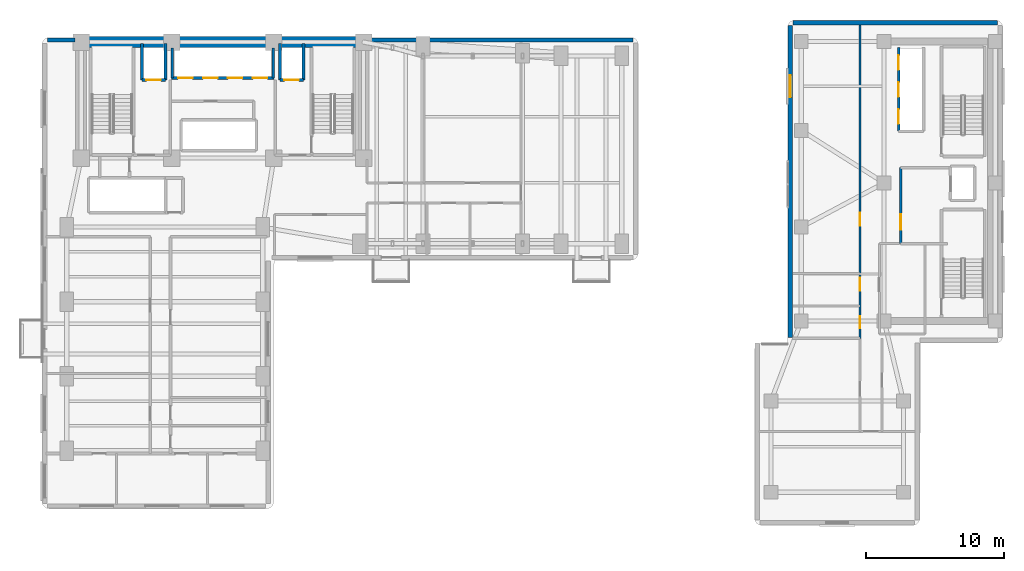
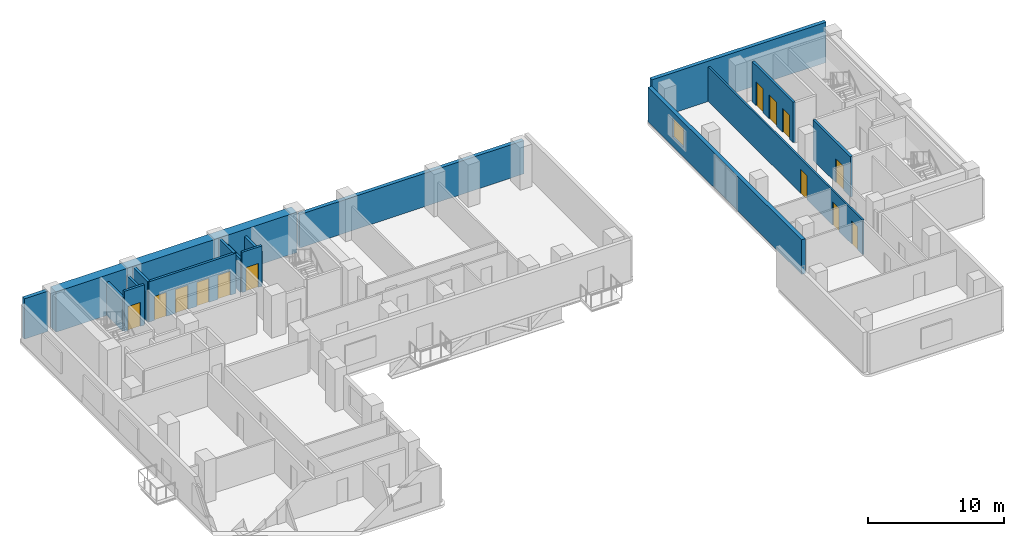
# One storey, part 10 of 15: 17 walls, 13 doors, 1 window, 14 openings.
"""IFC4 building model written with IfcOpenShell, lengths in metres."""

from ifc_helpers import new_model, si_unit, direction, frame, frame_2d, origin, place, context, subcontext, project, spatial, rectangle, extrude, material, layer, layer_set, type_object, element, fill, save


model = new_model("IFC4")

# Units and contexts
model_context = context("Model", 3, precision=1e-05, world=origin(), true_north=direction((0.0, 1.0)))
body_context = subcontext(model_context, "Body", "Model", "MODEL_VIEW")
ifc_project = project(units=[si_unit("LENGTHUNIT", "METRE"), si_unit("AREAUNIT", "SQUARE_METRE"), si_unit("VOLUMEUNIT", "CUBIC_METRE"), si_unit("PLANEANGLEUNIT", "RADIAN"), si_unit("MASSUNIT", "GRAM", prefix="KILO")], contexts=[model_context])

# Site, building, storey
site_placement = place(None, origin())
site = spatial("IfcSite", under=ifc_project, at=site_placement, CompositionType="ELEMENT")
building_placement = place(site_placement, origin())
building = spatial("IfcBuilding", under=site, at=building_placement, Name="Kuzgunbayir Cultural Tower", CompositionType="ELEMENT")
storey_placement = place(building_placement, frame((0.0, 0.0, 39.800048828125)))
storey = spatial("IfcBuildingStorey", under=building, at=storey_placement, Name="L10", CompositionType="ELEMENT", Elevation=39.800048828125)

# Walls
ifc_material_1 = material(Name="Concrete C60/75", Category="concrete")
ifc_layer_1 = layer(ifc_material_1, 0.800048828125)
ifc_layer_set_1 = layer_set([ifc_layer_1], Name="Concrete C60/75")
wall_type_1 = type_object("IfcWallType", Name="WAL-CORE-800", PredefinedType="SHEAR", material=ifc_layer_set_1)
wall_1_placement = place(storey_placement, frame((6.449951171875, 42.199951171875, 0.0), z_axis=(0.0, 0.0, 1.0), x_axis=(1.0, 0.0, 0.0)))
element("IfcWall", 1, at=wall_1_placement, inside=storey, type_object=wall_type_1, Name="L10 T1 Core North Shear Wall", PredefinedType="SHEAR", context=body_context, shape_type="SweptSolid", body=[
    extrude(rectangle(XDim=20.449951171875, YDim=0.800048828125, at=frame_2d((10.22509765625, 0.0))), origin(), (0.0, 0.0, 1.0), 3.619873046875),
])
ifc_material_2 = material(Name="Travertine Buff Ashlar", Category="masonry")
ifc_layer_2 = layer(ifc_material_2, 0.320068359375)
ifc_layer_set_2 = layer_set([ifc_layer_2], Name="Travertine Buff Ashlar")
wall_type_2 = type_object("IfcWallType", Name="WAL-EXT-STONE-320", PredefinedType="STANDARD", material=ifc_layer_set_2)
wall_2_placement = place(storey_placement, frame((46.39990234375, 42.35009765625, 0.0), z_axis=(0.0, 0.0, 1.0), x_axis=(-1.0, 0.0, 0.0)))
element("IfcWall", 2, at=wall_2_placement, inside=storey, type_object=wall_type_2, Name="L10 North Wing B Limestone Wall", PredefinedType="STANDARD", context=body_context, shape_type="SweptSolid", body=[
    extrude(rectangle(XDim=19.0498046875, YDim=0.320068359375, at=frame_2d((9.52490234375, 0.0))), origin(), (0.0, 0.0, 1.0), 3.0),
])
wall_3_placement = place(storey_placement, frame((6.0, 42.35009765625, 0.0), z_axis=(0.0, 0.0, 1.0), x_axis=(-1.0, 0.0, 0.0)))
element("IfcWall", 3, at=wall_3_placement, inside=storey, type_object=wall_type_2, Name="L10 Core North-West Spandrel Link", PredefinedType="STANDARD", context=body_context, shape_type="SweptSolid", body=[
    extrude(rectangle(XDim=2.0, YDim=0.320068359375, at=frame_2d((1.0, 0.0))), origin(), (0.0, 0.0, 1.0), 3.619873046875),
])

# Wall, opening, window
wall_4_placement = place(storey_placement, frame((57.800048828125, 43.39990234375, 0.0), z_axis=(0.0, 0.0, 1.0), x_axis=(0.0, -1.0, 0.0)))
wall_4 = element("IfcWall", 4, at=wall_4_placement, inside=storey, type_object=wall_type_2, Name="L10 Companion West Limestone Wall", PredefinedType="STANDARD", context=body_context, shape_type="SweptSolid", body=[
    extrude(rectangle(XDim=22.599853515625, YDim=0.320068359375, at=frame_2d((11.2998046875, 0.0))), origin(), (0.0, 0.0, 1.0), 3.10986328125),
])
opening_1_placement = place(wall_4_placement, frame((3.60009765625, 0.0, 0.85009765625)))
opening_1 = element("IfcOpeningElement", 5, at=opening_1_placement, cuts=wall_4, Name="Opening WC-16", PredefinedType="OPENING", context=body_context, shape_type="SweptSolid", body=[
    extrude(rectangle(XDim=1.60009765625, YDim=1.699951171875, at=frame_2d((0.800048828125, 0.85009765625))), frame((0.0, 0.169921875, 0.0), z_axis=(0.0, -1.0, 0.0), x_axis=(1.0, 0.0, 0.0)), (0.0, 0.0, 1.0), 0.340087890625),
])
ifc_material_3 = material(Name="Solar-Control Triple Glazing", Category="glass")
window_type = type_object("IfcWindowType", Name="WIN-COMP-16", PartitioningType="SINGLE_PANEL", PredefinedType="WINDOW", material=ifc_material_3)
window_placement = place(opening_1_placement, origin())
window = element("IfcWindow", 6, at=window_placement, inside=storey, type_object=window_type, Name="L10 Companion West Window 39", OverallHeight=1.699951171875, OverallWidth=1.60009765625, PartitioningType="SINGLE_PANEL", PredefinedType="WINDOW", context=body_context, shape_type="SweptSolid", body=[
    extrude(rectangle(XDim=1.60009765625, YDim=1.699951171875, at=frame_2d((0.800048828125, 0.85009765625))), frame((0.0, 0.030029296875, 0.0), z_axis=(0.0, -1.0, 0.0), x_axis=(1.0, 0.0, 0.0)), (0.0, 0.0, 1.0), 0.06005859375),
])
fill(opening_1, window)

# Wall
wall_5_placement = place(storey_placement, frame((72.800048828125, 43.60009765625, 0.0), z_axis=(0.0, 0.0, 1.0), x_axis=(-1.0, 0.0, 0.0)))
element("IfcWall", 7, at=wall_5_placement, inside=storey, type_object=wall_type_2, Name="L10 Companion North Limestone Wall", PredefinedType="STANDARD", context=body_context, shape_type="SweptSolid", body=[
    extrude(rectangle(XDim=14.800048828125, YDim=0.320068359375, at=frame_2d((7.39990234375, 0.0))), origin(), (0.0, 0.0, 1.0), 3.619873046875),
])

# Wall, openings, doors
ifc_material_4 = material(Name="Acoustic Double-Stud Drywall", Category="gypsum")
ifc_layer_3 = layer(ifc_material_4, 0.14990234375)
ifc_layer_set_3 = layer_set([ifc_layer_3], Name="Acoustic Double-Stud Drywall")
wall_type_3 = type_object("IfcWallType", Name="WAL-PART-ACOUSTIC-150", PredefinedType="PARTITIONING", material=ifc_layer_set_3)
wall_6_placement = place(storey_placement, frame((62.85009765625, 20.75, 0.0), z_axis=(0.0, 0.0, 1.0), x_axis=(0.0, 1.0, 0.0)))
wall_6 = element("IfcWall", 8, at=wall_6_placement, inside=storey, type_object=wall_type_3, Name="L10 Companion Corridor West Wall", PredefinedType="PARTITIONING", context=body_context, shape_type="SweptSolid", body=[
    extrude(rectangle(XDim=22.699951171875, YDim=0.14990234375, at=frame_2d((11.35009765625, 0.0))), origin(), (0.0, 0.0, 1.0), 3.10986328125),
])
opening_2_placement = place(wall_6_placement, frame((0.72998046875, 0.0, 0.0)))
opening_2 = element("IfcOpeningElement", 9, at=opening_2_placement, cuts=wall_6, Name="Opening DW-85", PredefinedType="OPENING", context=body_context, shape_type="SweptSolid", body=[
    extrude(rectangle(XDim=0.85009765625, YDim=2.10009765625, at=frame_2d((0.425048828125, 1.050048828125))), frame((0.0, 0.0849609375, 0.0), z_axis=(0.0, -1.0, 0.0), x_axis=(1.0, 0.0, 0.0)), (0.0, 0.0, 1.0), 0.169921875),
])
opening_3_placement = place(wall_6_placement, frame((3.429931640625, 0.0, 0.0)))
opening_3 = element("IfcOpeningElement", 10, at=opening_3_placement, cuts=wall_6, Name="Opening DW-95", PredefinedType="OPENING", context=body_context, shape_type="SweptSolid", body=[
    extrude(rectangle(XDim=0.949951171875, YDim=2.10009765625, at=frame_2d((0.47509765625, 1.050048828125))), frame((0.0, 0.0849609375, 0.0), z_axis=(0.0, -1.0, 0.0), x_axis=(1.0, 0.0, 0.0)), (0.0, 0.0, 1.0), 0.169921875),
])
opening_4_placement = place(wall_6_placement, frame((8.14990234375, 0.0, 0.0)))
opening_4 = element("IfcOpeningElement", 11, at=opening_4_placement, cuts=wall_6, Name="Opening DI-90", PredefinedType="OPENING", context=body_context, shape_type="SweptSolid", body=[
    extrude(rectangle(XDim=0.949951171875, YDim=2.14990234375, at=frame_2d((0.47509765625, 1.074951171875))), frame((0.0, 0.0849609375, 0.0), z_axis=(0.0, -1.0, 0.0), x_axis=(1.0, 0.0, 0.0)), (0.0, 0.0, 1.0), 0.169921875),
])
ifc_material_5 = material(Name="Veneered Oak Single Leaf", Category="wood")
door_type_1 = type_object("IfcDoorType", Name="DR-INT-90", OperationType="NOTDEFINED", PredefinedType="DOOR", material=ifc_material_5)
door_1_placement = place(opening_4_placement, origin())
door_1 = element("IfcDoor", 12, at=door_1_placement, inside=storey, type_object=door_type_1, Name="L10 Companion Culinary Tasting Pantry 1 Door", OperationType="SINGLE_SWING_LEFT", OverallHeight=2.14990234375, OverallWidth=0.949951171875, PredefinedType="DOOR", context=body_context, shape_type="SweptSolid", body=[
    extrude(rectangle(XDim=0.949951171875, YDim=2.14990234375, at=frame_2d((0.47509765625, 1.074951171875))), frame((0.0, 0.02490234375, 0.0), z_axis=(0.0, -1.0, 0.0), x_axis=(1.0, 0.0, 0.0)), (0.0, 0.0, 1.0), 0.050048828125),
])
fill(opening_4, door_1)
ifc_material_6 = material(Name="Laminate Moisture-Resistant Leaf", Category="wood")
door_type_2 = type_object("IfcDoorType", Name="DR-WET-85", OperationType="NOTDEFINED", PredefinedType="DOOR", material=ifc_material_6)
door_2_placement = place(opening_2_placement, origin())
door_2 = element("IfcDoor", 13, at=door_2_placement, inside=storey, type_object=door_type_2, Name="L10 Companion WC Door", OperationType="SINGLE_SWING_LEFT", OverallHeight=2.10009765625, OverallWidth=0.85009765625, PredefinedType="DOOR", context=body_context, shape_type="SweptSolid", body=[
    extrude(rectangle(XDim=0.85009765625, YDim=2.10009765625, at=frame_2d((0.425048828125, 1.050048828125))), frame((0.0, 0.02490234375, 0.0), z_axis=(0.0, -1.0, 0.0), x_axis=(1.0, 0.0, 0.0)), (0.0, 0.0, 1.0), 0.050048828125),
])
fill(opening_2, door_2)
door_type_3 = type_object("IfcDoorType", Name="DR-WET-95", OperationType="NOTDEFINED", PredefinedType="DOOR", material=ifc_material_6)
door_3_placement = place(opening_3_placement, origin())
door_3 = element("IfcDoor", 14, at=door_3_placement, inside=storey, type_object=door_type_3, Name="L10 Companion Accessible WC Door", OperationType="SINGLE_SWING_RIGHT", OverallHeight=2.10009765625, OverallWidth=0.949951171875, PredefinedType="DOOR", context=body_context, shape_type="SweptSolid", body=[
    extrude(rectangle(XDim=0.949951171875, YDim=2.10009765625, at=frame_2d((0.47509765625, 1.050048828125))), frame((0.0, 0.02490234375, 0.0), z_axis=(0.0, -1.0, 0.0), x_axis=(1.0, 0.0, 0.0)), (0.0, 0.0, 1.0), 0.050048828125),
])
fill(opening_3, door_3)

# Wall, opening, door
ifc_material_7 = material(Name="Aerated Concrete Blockwork", Category="masonry")
ifc_layer_4 = layer(ifc_material_7, 0.199951171875)
ifc_layer_set_4 = layer_set([ifc_layer_4], Name="Aerated Concrete Blockwork")
wall_type_4 = type_object("IfcWallType", Name="WAL-PART-FIRE-200", PredefinedType="PARTITIONING", material=ifc_layer_set_4)
wall_7_placement = place(storey_placement, frame((65.800048828125, 27.60009765625, 0.0), z_axis=(0.0, 0.0, 1.0), x_axis=(0.0, 1.0, 0.0)))
wall_7 = element("IfcWall", 15, at=wall_7_placement, inside=storey, type_object=wall_type_4, Name="L10 FFL-3 Lobby West Fire Wall", PredefinedType="PARTITIONING", context=body_context, shape_type="SweptSolid", body=[
    extrude(rectangle(XDim=5.5, YDim=0.199951171875, at=frame_2d((2.75, 0.0))), origin(), (0.0, 0.0, 1.0), 3.619873046875),
])
opening_5_placement = place(wall_7_placement, frame((1.0, 0.0, 0.0)))
opening_5 = element("IfcOpeningElement", 16, at=opening_5_placement, cuts=wall_7, Name="Opening DR-FFL-90", PredefinedType="OPENING", context=body_context, shape_type="SweptSolid", body=[
    extrude(rectangle(XDim=1.14990234375, YDim=2.14990234375, at=frame_2d((0.574951171875, 1.074951171875))), frame((0.0, 0.10986328125, 0.0), z_axis=(0.0, -1.0, 0.0), x_axis=(1.0, 0.0, 0.0)), (0.0, 0.0, 1.0), 0.219970703125),
])
ifc_material_8 = material(Name="Steel S355J2", Category="steel")
door_type_4 = type_object("IfcDoorType", Name="DR-FFL-90", OperationType="NOTDEFINED", PredefinedType="DOOR", material=ifc_material_8)
door_4_placement = place(opening_5_placement, origin())
door_4 = element("IfcDoor", 17, at=door_4_placement, inside=storey, type_object=door_type_4, Name="L10 Firefighting Lobby 3 Door", OperationType="SINGLE_SWING_RIGHT", OverallHeight=2.14990234375, OverallWidth=1.14990234375, PredefinedType="DOOR", context=body_context, shape_type="SweptSolid", body=[
    extrude(rectangle(XDim=1.14990234375, YDim=2.14990234375, at=frame_2d((0.574951171875, 1.074951171875))), frame((0.0, 0.02490234375, 0.0), z_axis=(0.0, -1.0, 0.0), x_axis=(1.0, 0.0, 0.0)), (0.0, 0.0, 1.0), 0.050048828125),
])
fill(opening_5, door_4)

ifc_material_9 = material(Name="Concrete C40/50", Category="concrete")
ifc_layer_5 = layer(ifc_material_9, 0.199951171875)
ifc_layer_set_5 = layer_set([ifc_layer_5], Name="Concrete C40/50")
wall_type_5 = type_object("IfcWallType", Name="WAL-SHAFT-200", PredefinedType="MOVABLE", material=ifc_layer_set_5)
wall_8_placement = place(storey_placement, frame((10.85009765625, 39.449951171875, 0.0), z_axis=(0.0, 0.0, 1.0), x_axis=(1.0, 0.0, 0.0)))
wall_8 = element("IfcWall", 18, at=wall_8_placement, inside=storey, type_object=wall_type_5, Name="L10 FFL-1 Lift Front Wall", PredefinedType="MOVABLE", context=body_context, shape_type="SweptSolid", body=[
    extrude(rectangle(XDim=1.699951171875, YDim=0.199951171875, at=frame_2d((0.85009765625, 0.0))), origin(), (0.0, 0.0, 1.0), 3.619873046875),
])
opening_6_placement = place(wall_8_placement, frame((0.320068359375, 0.0, 0.0)))
opening_6 = element("IfcOpeningElement", 19, at=opening_6_placement, cuts=wall_8, Name="Opening LD", PredefinedType="OPENING", context=body_context, shape_type="SweptSolid", body=[
    extrude(rectangle(XDim=1.050048828125, YDim=2.14990234375, at=frame_2d((0.52490234375, 1.074951171875))), frame((0.0, 0.10986328125, 0.0), z_axis=(0.0, -1.0, 0.0), x_axis=(1.0, 0.0, 0.0)), (0.0, 0.0, 1.0), 0.219970703125),
])
ifc_material_10 = material(Name="Brushed Stainless Steel", Category="steel")
door_type_5 = type_object("IfcDoorType", Name="DR-LIFT-LANDING", OperationType="SLIDING_TO_LEFT", PredefinedType="DOOR", material=ifc_material_10)
door_5_placement = place(opening_6_placement, origin())
door_5 = element("IfcDoor", 20, at=door_5_placement, inside=storey, type_object=door_type_5, Name="L10 Lift FFL-1 Landing Door", OperationType="SLIDING_TO_LEFT", OverallHeight=2.14990234375, OverallWidth=1.050048828125, PredefinedType="DOOR", context=body_context, shape_type="SweptSolid", body=[
    extrude(rectangle(XDim=1.050048828125, YDim=2.14990234375, at=frame_2d((0.52490234375, 1.074951171875))), frame((0.0, 0.02490234375, 0.0), z_axis=(0.0, -1.0, 0.0), x_axis=(1.0, 0.0, 0.0)), (0.0, 0.0, 1.0), 0.050048828125),
])
fill(opening_6, door_5)

wall_9_placement = place(storey_placement, frame((20.85009765625, 39.449951171875, 0.0), z_axis=(0.0, 0.0, 1.0), x_axis=(1.0, 0.0, 0.0)))
wall_9 = element("IfcWall", 21, at=wall_9_placement, inside=storey, type_object=wall_type_5, Name="L10 FFL-2 Lift Front Wall", PredefinedType="MOVABLE", context=body_context, shape_type="SweptSolid", body=[
    extrude(rectangle(XDim=1.699951171875, YDim=0.199951171875, at=frame_2d((0.85009765625, 0.0))), origin(), (0.0, 0.0, 1.0), 3.619873046875),
])
opening_7_placement = place(wall_9_placement, frame((0.320068359375, 0.0, 0.0)))
opening_7 = element("IfcOpeningElement", 22, at=opening_7_placement, cuts=wall_9, Name="Opening LD", PredefinedType="OPENING", context=body_context, shape_type="SweptSolid", body=[
    extrude(rectangle(XDim=1.050048828125, YDim=2.14990234375, at=frame_2d((0.52490234375, 1.074951171875))), frame((0.0, 0.10986328125, 0.0), z_axis=(0.0, -1.0, 0.0), x_axis=(1.0, 0.0, 0.0)), (0.0, 0.0, 1.0), 0.219970703125),
])
door_6_placement = place(opening_7_placement, origin())
door_6 = element("IfcDoor", 23, at=door_6_placement, inside=storey, type_object=door_type_5, Name="L10 Lift FFL-2 Landing Door", OperationType="SLIDING_TO_LEFT", OverallHeight=2.14990234375, OverallWidth=1.050048828125, PredefinedType="DOOR", context=body_context, shape_type="SweptSolid", body=[
    extrude(rectangle(XDim=1.050048828125, YDim=2.14990234375, at=frame_2d((0.52490234375, 1.074951171875))), frame((0.0, 0.02490234375, 0.0), z_axis=(0.0, -1.0, 0.0), x_axis=(1.0, 0.0, 0.0)), (0.0, 0.0, 1.0), 0.050048828125),
])
fill(opening_7, door_6)

# Walls
for number, where, z_axis, x_axis, name in (
    (24, (10.85009765625, 39.449951171875, 0.0), (0.0, 0.0, 1.0), (0.0, 1.0, 0.0), "L10 FFL-1 Shaft West Wall"),
    (25, (12.550048828125, 39.449951171875, 0.0), (0.0, 0.0, 1.0), (0.0, 1.0, 0.0), "L10 FFL-1 Shaft East Wall"),
    (26, (20.85009765625, 39.449951171875, 0.0), (0.0, 0.0, 1.0), (0.0, 1.0, 0.0), "L10 FFL-2 Shaft West Wall"),
    (27, (22.550048828125, 39.449951171875, 0.0), (0.0, 0.0, 1.0), (0.0, 1.0, 0.0), "L10 FFL-2 Shaft East Wall"),
):
    element("IfcWall", number, at=place(storey_placement, frame(where, z_axis=z_axis, x_axis=x_axis)), inside=storey, type_object=wall_type_5, Name=name, PredefinedType="MOVABLE", context=body_context, shape_type="SweptSolid", body=[
        extrude(rectangle(XDim=2.650146484375, YDim=0.199951171875, at=frame_2d((1.3251953125, 0.0))), origin(), (0.0, 0.0, 1.0), 3.0),
    ])

# Wall, openings, doors
wall_10_placement = place(storey_placement, frame((13.0, 39.60009765625, 0.0), z_axis=(0.0, 0.0, 1.0), x_axis=(1.0, 0.0, 0.0)))
wall_10 = element("IfcWall", 28, at=wall_10_placement, inside=storey, type_object=wall_type_5, Name="L10 Low-Rise Lift Front Wall", PredefinedType="MOVABLE", context=body_context, shape_type="SweptSolid", body=[
    extrude(rectangle(XDim=7.39990234375, YDim=0.199951171875, at=frame_2d((3.699951171875, 0.0))), origin(), (0.0, 0.0, 1.0), 3.619873046875),
])
opening_8_placement = place(wall_10_placement, frame((0.469970703125, 0.0, 0.0)))
opening_8 = element("IfcOpeningElement", 29, at=opening_8_placement, cuts=wall_10, Name="Opening LD", PredefinedType="OPENING", context=body_context, shape_type="SweptSolid", body=[
    extrude(rectangle(XDim=1.050048828125, YDim=2.14990234375, at=frame_2d((0.52490234375, 1.074951171875))), frame((0.0, 0.10986328125, 0.0), z_axis=(0.0, -1.0, 0.0), x_axis=(1.0, 0.0, 0.0)), (0.0, 0.0, 1.0), 0.219970703125),
])
opening_9_placement = place(wall_10_placement, frame((2.280029296875, 0.0, 0.0)))
opening_9 = element("IfcOpeningElement", 30, at=opening_9_placement, cuts=wall_10, Name="Opening LD", PredefinedType="OPENING", context=body_context, shape_type="SweptSolid", body=[
    extrude(rectangle(XDim=1.050048828125, YDim=2.14990234375, at=frame_2d((0.52490234375, 1.074951171875))), frame((0.0, 0.10986328125, 0.0), z_axis=(0.0, -1.0, 0.0), x_axis=(1.0, 0.0, 0.0)), (0.0, 0.0, 1.0), 0.219970703125),
])
opening_10_placement = place(wall_10_placement, frame((4.080078125, 0.0, 0.0)))
opening_10 = element("IfcOpeningElement", 31, at=opening_10_placement, cuts=wall_10, Name="Opening LD", PredefinedType="OPENING", context=body_context, shape_type="SweptSolid", body=[
    extrude(rectangle(XDim=1.050048828125, YDim=2.14990234375, at=frame_2d((0.52490234375, 1.074951171875))), frame((0.0, 0.10986328125, 0.0), z_axis=(0.0, -1.0, 0.0), x_axis=(1.0, 0.0, 0.0)), (0.0, 0.0, 1.0), 0.219970703125),
])
opening_11_placement = place(wall_10_placement, frame((5.8798828125, 0.0, 0.0)))
opening_11 = element("IfcOpeningElement", 32, at=opening_11_placement, cuts=wall_10, Name="Opening LD", PredefinedType="OPENING", context=body_context, shape_type="SweptSolid", body=[
    extrude(rectangle(XDim=1.050048828125, YDim=2.14990234375, at=frame_2d((0.52490234375, 1.074951171875))), frame((0.0, 0.10986328125, 0.0), z_axis=(0.0, -1.0, 0.0), x_axis=(1.0, 0.0, 0.0)), (0.0, 0.0, 1.0), 0.219970703125),
])
door_7_placement = place(opening_8_placement, origin())
door_7 = element("IfcDoor", 33, at=door_7_placement, inside=storey, type_object=door_type_5, Name="L10 Lift PL-1 Landing Door", OperationType="SLIDING_TO_LEFT", OverallHeight=2.14990234375, OverallWidth=1.050048828125, PredefinedType="DOOR", context=body_context, shape_type="SweptSolid", body=[
    extrude(rectangle(XDim=1.050048828125, YDim=2.14990234375, at=frame_2d((0.52490234375, 1.074951171875))), frame((0.0, 0.02490234375, 0.0), z_axis=(0.0, -1.0, 0.0), x_axis=(1.0, 0.0, 0.0)), (0.0, 0.0, 1.0), 0.050048828125),
])
fill(opening_8, door_7)
door_8_placement = place(opening_9_placement, origin())
door_8 = element("IfcDoor", 34, at=door_8_placement, inside=storey, type_object=door_type_5, Name="L10 Lift PL-2 Landing Door", OperationType="SLIDING_TO_LEFT", OverallHeight=2.14990234375, OverallWidth=1.050048828125, PredefinedType="DOOR", context=body_context, shape_type="SweptSolid", body=[
    extrude(rectangle(XDim=1.050048828125, YDim=2.14990234375, at=frame_2d((0.52490234375, 1.074951171875))), frame((0.0, 0.02490234375, 0.0), z_axis=(0.0, -1.0, 0.0), x_axis=(1.0, 0.0, 0.0)), (0.0, 0.0, 1.0), 0.050048828125),
])
fill(opening_9, door_8)
door_9_placement = place(opening_10_placement, origin())
door_9 = element("IfcDoor", 35, at=door_9_placement, inside=storey, type_object=door_type_5, Name="L10 Lift PL-3 Landing Door", OperationType="SLIDING_TO_LEFT", OverallHeight=2.14990234375, OverallWidth=1.050048828125, PredefinedType="DOOR", context=body_context, shape_type="SweptSolid", body=[
    extrude(rectangle(XDim=1.050048828125, YDim=2.14990234375, at=frame_2d((0.52490234375, 1.074951171875))), frame((0.0, 0.02490234375, 0.0), z_axis=(0.0, -1.0, 0.0), x_axis=(1.0, 0.0, 0.0)), (0.0, 0.0, 1.0), 0.050048828125),
])
fill(opening_10, door_9)
door_10_placement = place(opening_11_placement, origin())
door_10 = element("IfcDoor", 36, at=door_10_placement, inside=storey, type_object=door_type_5, Name="L10 Lift PL-4 Landing Door", OperationType="SLIDING_TO_LEFT", OverallHeight=2.14990234375, OverallWidth=1.050048828125, PredefinedType="DOOR", context=body_context, shape_type="SweptSolid", body=[
    extrude(rectangle(XDim=1.050048828125, YDim=2.14990234375, at=frame_2d((0.52490234375, 1.074951171875))), frame((0.0, 0.02490234375, 0.0), z_axis=(0.0, -1.0, 0.0), x_axis=(1.0, 0.0, 0.0)), (0.0, 0.0, 1.0), 0.050048828125),
])
fill(opening_11, door_10)

# Walls
for number, where, z_axis, x_axis, name in (
    (37, (13.050048828125, 39.60009765625, 0.0), (0.0, 0.0, 1.0), (0.0, 1.0, 0.0), "L10 Low-Rise Lift Shaft West Wall"),
    (38, (20.35009765625, 39.60009765625, 0.0), (0.0, 0.0, 1.0), (0.0, 1.0, 0.0), "L10 Low-Rise Lift Shaft East Wall"),
):
    element("IfcWall", number, at=place(storey_placement, frame(where, z_axis=z_axis, x_axis=x_axis)), inside=storey, type_object=wall_type_5, Name=name, PredefinedType="MOVABLE", context=body_context, shape_type="SweptSolid", body=[
        extrude(rectangle(XDim=2.179931640625, YDim=0.199951171875, at=frame_2d((1.08984375, 0.0))), origin(), (0.0, 0.0, 1.0), 3.619873046875),
    ])

# Wall, openings, doors
wall_11_placement = place(storey_placement, frame((65.64990234375, 35.75, 0.0), z_axis=(0.0, 0.0, 1.0), x_axis=(0.0, 1.0, 0.0)))
wall_11 = element("IfcWall", 39, at=wall_11_placement, inside=storey, type_object=wall_type_5, Name="L10 Companion Lift Front Wall", PredefinedType="MOVABLE", context=body_context, shape_type="SweptSolid", body=[
    extrude(rectangle(XDim=6.050048828125, YDim=0.199951171875, at=frame_2d((3.02490234375, 0.0))), origin(), (0.0, 0.0, 1.0), 3.619873046875),
])
opening_12_placement = place(wall_11_placement, frame((0.52001953125, 0.0, 0.0)))
opening_12 = element("IfcOpeningElement", 40, at=opening_12_placement, cuts=wall_11, Name="Opening LD", PredefinedType="OPENING", context=body_context, shape_type="SweptSolid", body=[
    extrude(rectangle(XDim=1.050048828125, YDim=2.14990234375, at=frame_2d((0.52490234375, 1.074951171875))), frame((0.0, 0.10986328125, 0.0), z_axis=(0.0, -1.0, 0.0), x_axis=(1.0, 0.0, 0.0)), (0.0, 0.0, 1.0), 0.219970703125),
])
opening_13_placement = place(wall_11_placement, frame((2.47998046875, 0.0, 0.0)))
opening_13 = element("IfcOpeningElement", 41, at=opening_13_placement, cuts=wall_11, Name="Opening LD", PredefinedType="OPENING", context=body_context, shape_type="SweptSolid", body=[
    extrude(rectangle(XDim=1.050048828125, YDim=2.14990234375, at=frame_2d((0.52490234375, 1.074951171875))), frame((0.0, 0.10986328125, 0.0), z_axis=(0.0, -1.0, 0.0), x_axis=(1.0, 0.0, 0.0)), (0.0, 0.0, 1.0), 0.219970703125),
])
opening_14_placement = place(wall_11_placement, frame((4.429931640625, 0.0, 0.0)))
opening_14 = element("IfcOpeningElement", 42, at=opening_14_placement, cuts=wall_11, Name="Opening LD", PredefinedType="OPENING", context=body_context, shape_type="SweptSolid", body=[
    extrude(rectangle(XDim=1.050048828125, YDim=2.14990234375, at=frame_2d((0.52490234375, 1.074951171875))), frame((0.0, 0.10986328125, 0.0), z_axis=(0.0, -1.0, 0.0), x_axis=(1.0, 0.0, 0.0)), (0.0, 0.0, 1.0), 0.219970703125),
])
door_11_placement = place(opening_12_placement, origin())
door_11 = element("IfcDoor", 43, at=door_11_placement, inside=storey, type_object=door_type_5, Name="L10 Lift PC-1 Landing Door", OperationType="SLIDING_TO_LEFT", OverallHeight=2.14990234375, OverallWidth=1.050048828125, PredefinedType="DOOR", context=body_context, shape_type="SweptSolid", body=[
    extrude(rectangle(XDim=1.050048828125, YDim=2.14990234375, at=frame_2d((0.52490234375, 1.074951171875))), frame((0.0, 0.02490234375, 0.0), z_axis=(0.0, -1.0, 0.0), x_axis=(1.0, 0.0, 0.0)), (0.0, 0.0, 1.0), 0.050048828125),
])
fill(opening_12, door_11)
door_12_placement = place(opening_13_placement, origin())
door_12 = element("IfcDoor", 44, at=door_12_placement, inside=storey, type_object=door_type_5, Name="L10 Lift PC-2 Landing Door", OperationType="SLIDING_TO_LEFT", OverallHeight=2.14990234375, OverallWidth=1.050048828125, PredefinedType="DOOR", context=body_context, shape_type="SweptSolid", body=[
    extrude(rectangle(XDim=1.050048828125, YDim=2.14990234375, at=frame_2d((0.52490234375, 1.074951171875))), frame((0.0, 0.02490234375, 0.0), z_axis=(0.0, -1.0, 0.0), x_axis=(1.0, 0.0, 0.0)), (0.0, 0.0, 1.0), 0.050048828125),
])
fill(opening_13, door_12)
door_13_placement = place(opening_14_placement, origin())
door_13 = element("IfcDoor", 45, at=door_13_placement, inside=storey, type_object=door_type_5, Name="L10 Lift PC-3 Landing Door", OperationType="SLIDING_TO_LEFT", OverallHeight=2.14990234375, OverallWidth=1.050048828125, PredefinedType="DOOR", context=body_context, shape_type="SweptSolid", body=[
    extrude(rectangle(XDim=1.050048828125, YDim=2.14990234375, at=frame_2d((0.52490234375, 1.074951171875))), frame((0.0, 0.02490234375, 0.0), z_axis=(0.0, -1.0, 0.0), x_axis=(1.0, 0.0, 0.0)), (0.0, 0.0, 1.0), 0.050048828125),
])
fill(opening_14, door_13)

save(model, "model.ifc")
